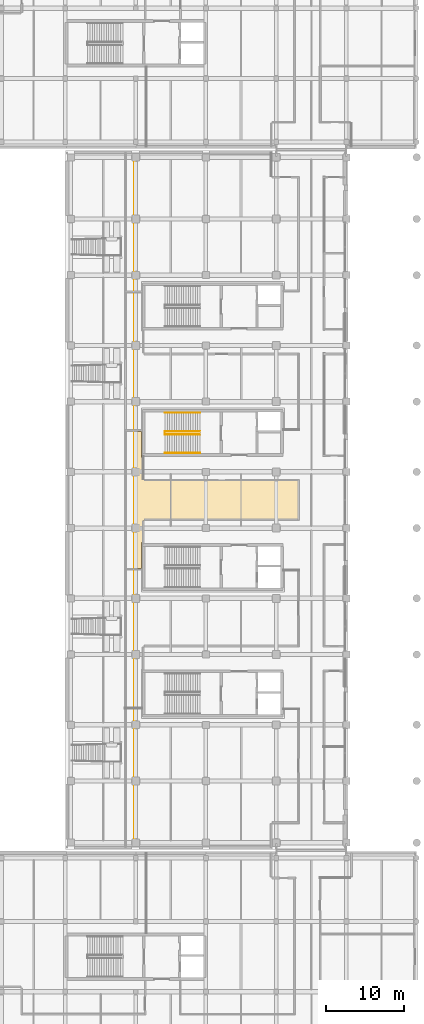
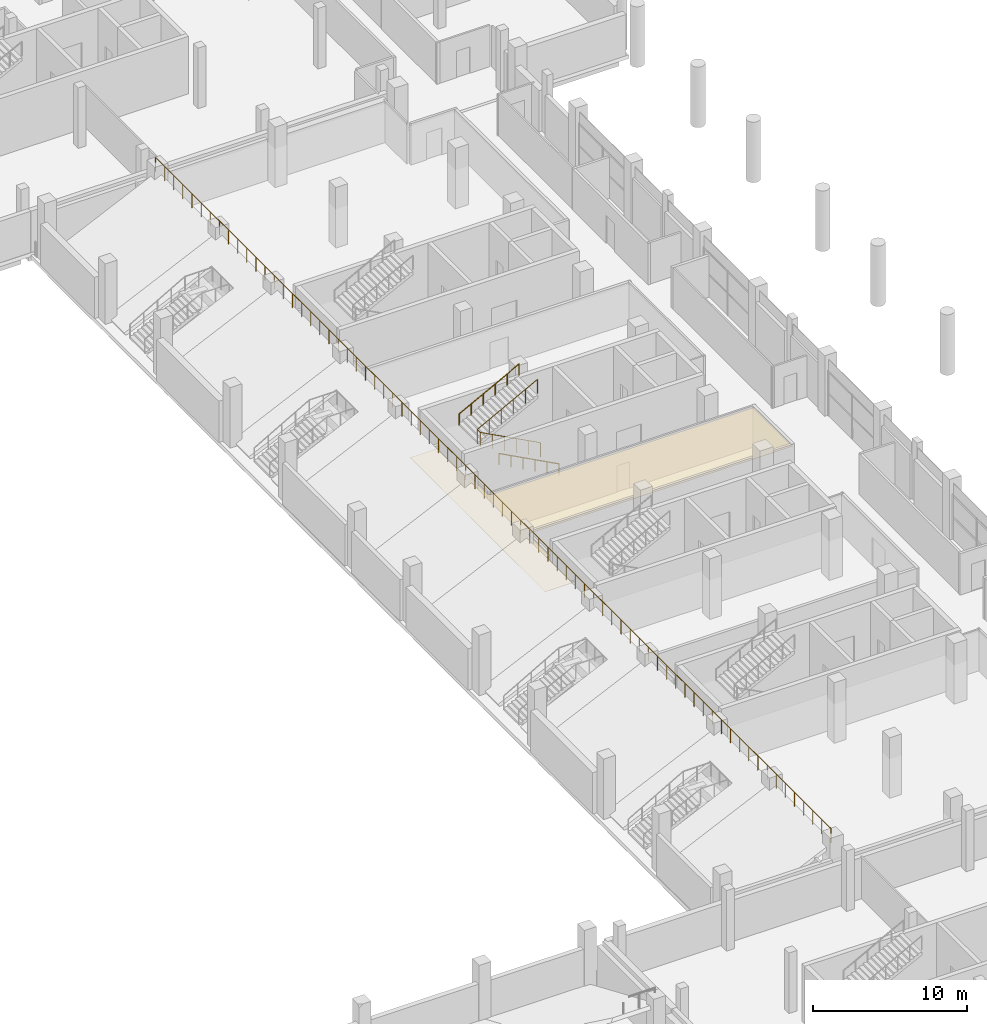
# One storey, part 91 of 100: 4 railings, 1 covering.
"""IFC4 building model written with IfcOpenShell, lengths in metres."""

from ifc_helpers import new_model, si_unit, direction, frame, origin, origin_2d, place, context, subcontext, project, spatial, polyline, circle, outline, extrude, material, layer, layer_set, type_object, element, save


model = new_model("IFC4")

# Units and contexts
model_context = context("Model", 3, precision=1e-05, world=origin(), true_north=direction((0.0, 1.0)))
body_context = subcontext(model_context, "Body", "Model", "MODEL_VIEW")
ifc_project = project(units=[si_unit("LENGTHUNIT", "METRE"), si_unit("AREAUNIT", "SQUARE_METRE"), si_unit("VOLUMEUNIT", "CUBIC_METRE"), si_unit("PLANEANGLEUNIT", "RADIAN"), si_unit("MASSUNIT", "GRAM", prefix="KILO"), si_unit("THERMODYNAMICTEMPERATUREUNIT", "KELVIN"), si_unit("POWERUNIT", "WATT")], contexts=[model_context])

# Site, building, storey
site_placement = place(None, origin())
site = spatial("IfcSite", under=ifc_project, at=site_placement, CompositionType="ELEMENT")
building_placement = place(site_placement, origin())
building = spatial("IfcBuilding", under=site, at=building_placement, Name="Sindhuravela Promenade Stadium", CompositionType="ELEMENT")
storey_placement = place(building_placement, frame((0.0, 0.0, 4.800048828125)))
storey = spatial("IfcBuildingStorey", under=building, at=storey_placement, Name="L01", CompositionType="ELEMENT", Elevation=4.800048828125)

# Covering
ifc_material_1 = material(Name="Acoustic mineral-fibre ceiling tile", Category="gypsum")
ifc_layer = layer(ifc_material_1, 0.02490234375)
ifc_layer_set = layer_set([ifc_layer], Name="Acoustic mineral-fibre ceiling tile")
covering_type = type_object("IfcCoveringType", Name="CV-CEIL-1", PredefinedType="CEILING", material=ifc_layer_set)
covering_placement = place(storey_placement, frame((0.0, 0.0, 3.050048828125)))
element("IfcCovering", 1, at=covering_placement, inside=storey, type_object=covering_type, Name="Acoustic ceiling Museum Conservation Workshop", PredefinedType="CEILING", context=body_context, shape_type="SweptSolid", body=[
    extrude(outline(polyline([(178.679931640625, 89.76611328125), (178.68017578125, 89.76806640625), (178.680419921875, 89.77001953125), (178.680908203125, 89.771728515625), (178.681396484375, 89.773681640625), (178.682373046875, 89.775390625), (178.683349609375, 89.777099609375), (178.6845703125, 89.77880859375), (178.685791015625, 89.780029296875), (178.687255859375, 89.781494140625), (178.68896484375, 89.78271484375), (178.690673828125, 89.78369140625), (178.6923828125, 89.784423828125), (178.694091796875, 89.78515625), (178.696044921875, 89.78564453125), (178.697998046875, 89.785888671875), (178.699951171875, 89.785888671875), (180.699951171875, 89.785888671875), (180.701904296875, 89.785888671875), (180.703857421875, 89.78564453125), (180.705810546875, 89.78515625), (180.707763671875, 89.784423828125), (180.70947265625, 89.78369140625), (180.711181640625, 89.78271484375), (180.712646484375, 89.781494140625), (180.714111328125, 89.780029296875), (180.715576171875, 89.77880859375), (180.716552734375, 89.777099609375), (180.717529296875, 89.775390625), (180.718505859375, 89.773681640625), (180.718994140625, 89.771728515625), (180.719482421875, 89.77001953125), (180.719970703125, 89.76806640625), (180.719970703125, 89.76611328125), (180.719970703125, 86.419921875), (180.9599609375, 86.419921875), (180.9619140625, 86.419921875), (180.9638671875, 86.419677734375), (180.9658203125, 86.419189453125), (180.9677734375, 86.41845703125), (180.969482421875, 86.41748046875), (180.97119140625, 86.41650390625), (180.97265625, 86.41552734375), (180.97412109375, 86.4140625), (180.9755859375, 86.41259765625), (180.9765625, 86.4111328125), (180.9775390625, 86.409423828125), (180.978515625, 86.40771484375), (180.97900390625, 86.40576171875), (180.9794921875, 86.40380859375), (180.97998046875, 86.402099609375), (180.97998046875, 86.39990234375), (180.97998046875, 83.75048828125), (180.981201171875, 83.728515625), (180.984375, 83.70703125), (180.989501953125, 83.68603515625), (180.996826171875, 83.665771484375), (181.006103515625, 83.646240234375), (181.01708984375, 83.627685546875), (181.030029296875, 83.6103515625), (181.04443359375, 83.594482421875), (181.060302734375, 83.580078125), (181.077880859375, 83.567138671875), (181.09619140625, 83.555908203125), (181.11572265625, 83.546875), (181.135986328125, 83.53955078125), (181.156982421875, 83.5341796875), (181.178466796875, 83.531005859375), (181.200439453125, 83.530029296875), (200.860107421875, 83.530029296875), (200.862060546875, 83.52978515625), (200.864013671875, 83.529541015625), (200.86572265625, 83.529052734375), (200.86767578125, 83.528564453125), (200.869384765625, 83.527587890625), (200.87109375, 83.526611328125), (200.872802734375, 83.525390625), (200.8740234375, 83.524169921875), (200.87548828125, 83.522705078125), (200.876708984375, 83.52099609375), (200.877685546875, 83.519287109375), (200.87841796875, 83.517578125), (200.879150390625, 83.515869140625), (200.879638671875, 83.513916015625), (200.8798828125, 83.511962890625), (200.8798828125, 83.510009765625), (200.8798828125, 78.489990234375), (200.8798828125, 78.488037109375), (200.879638671875, 78.486083984375), (200.879150390625, 78.484130859375), (200.87841796875, 78.482421875), (200.877685546875, 78.480712890625), (200.876708984375, 78.47900390625), (200.87548828125, 78.477294921875), (200.8740234375, 78.475830078125), (200.872802734375, 78.474609375), (200.87109375, 78.473388671875), (200.869384765625, 78.472412109375), (200.86767578125, 78.471435546875), (200.86572265625, 78.470947265625), (200.864013671875, 78.470458984375), (200.862060546875, 78.47021484375), (200.860107421875, 78.469970703125), (181.200439453125, 78.469970703125), (181.178466796875, 78.468994140625), (181.156982421875, 78.4658203125), (181.135986328125, 78.46044921875), (181.11572265625, 78.453125), (181.09619140625, 78.444091796875), (181.077880859375, 78.432861328125), (181.060302734375, 78.419921875), (181.04443359375, 78.405517578125), (181.030029296875, 78.3896484375), (181.01708984375, 78.372314453125), (181.006103515625, 78.353759765625), (180.996826171875, 78.334228515625), (180.989501953125, 78.31396484375), (180.984375, 78.29296875), (180.981201171875, 78.271484375), (180.97998046875, 78.24951171875), (180.97998046875, 75.60009765625), (180.97998046875, 75.597900390625), (180.9794921875, 75.59619140625), (180.97900390625, 75.59423828125), (180.978515625, 75.59228515625), (180.9775390625, 75.590576171875), (180.9765625, 75.5888671875), (180.9755859375, 75.58740234375), (180.97412109375, 75.5859375), (180.97265625, 75.58447265625), (180.97119140625, 75.58349609375), (180.969482421875, 75.58251953125), (180.9677734375, 75.58154296875), (180.9658203125, 75.580810546875), (180.9638671875, 75.580322265625), (180.9619140625, 75.580078125), (180.9599609375, 75.580078125), (180.719970703125, 75.580078125), (180.719970703125, 72.23388671875), (180.719970703125, 72.23193359375), (180.719482421875, 72.22998046875), (180.718994140625, 72.228271484375), (180.718505859375, 72.226318359375), (180.717529296875, 72.224609375), (180.716552734375, 72.222900390625), (180.715576171875, 72.22119140625), (180.714111328125, 72.219970703125), (180.712646484375, 72.218505859375), (180.711181640625, 72.21728515625), (180.70947265625, 72.21630859375), (180.707763671875, 72.215576171875), (180.705810546875, 72.21484375), (180.703857421875, 72.21435546875), (180.701904296875, 72.214111328125), (180.699951171875, 72.214111328125), (178.699951171875, 72.214111328125), (178.697998046875, 72.214111328125), (178.696044921875, 72.21435546875), (178.694091796875, 72.21484375), (178.6923828125, 72.215576171875), (178.690673828125, 72.21630859375), (178.68896484375, 72.21728515625), (178.687255859375, 72.218505859375), (178.685791015625, 72.219970703125), (178.6845703125, 72.22119140625), (178.683349609375, 72.222900390625), (178.682373046875, 72.224609375), (178.681396484375, 72.226318359375), (178.680908203125, 72.228271484375), (178.680419921875, 72.22998046875), (178.68017578125, 72.23193359375), (178.679931640625, 72.23388671875), (178.679931640625, 89.76611328125)])), origin(), (0.0, 0.0, 1.0), 0.02490234375),
])

# Railings
ifc_material_2 = material(Name="Architectural wrought steel E350", Category="steel")
railing_type_1 = type_object("IfcRailingType", Name="RL-GRD-1150", PredefinedType="GUARDRAIL", material=ifc_material_2)
railing_1_placement = place(storey_placement, frame((179.85009765625, 37.10009765625, 4.050048828125)))
element("IfcRailing", 2, at=railing_1_placement, inside=storey, type_object=railing_type_1, Name="Stand bowl crowd barrier GR01-94", PredefinedType="GUARDRAIL", context=body_context, shape_type="SweptSolid", body=[
    extrude(circle(Radius=0.02392578125, at=origin_2d()), frame((0.0, 0.0, 1.1259765625), z_axis=(0.0, 1.0, 0.0), x_axis=(-1.0, 0.0, 0.0)), (0.0, 0.0, 1.0), 87.7998046875),
    extrude(circle(Radius=0.02099609375, at=origin_2d()), origin(), (0.0, 0.0, 1.0), 1.101806640625),
    extrude(circle(Radius=0.02099609375, at=origin_2d()), frame((0.0, 1.1865234375, 0.0)), (0.0, 0.0, 1.0), 1.101806640625),
    extrude(circle(Radius=0.02099609375, at=origin_2d()), frame((0.0, 2.373046875, 0.0)), (0.0, 0.0, 1.0), 1.101806640625),
    extrude(circle(Radius=0.02099609375, at=origin_2d()), frame((0.0, 3.5595703125, 0.0)), (0.0, 0.0, 1.0), 1.101806640625),
    extrude(circle(Radius=0.02099609375, at=origin_2d()), frame((0.0, 4.745849609375, 0.0)), (0.0, 0.0, 1.0), 1.101806640625),
    extrude(circle(Radius=0.02099609375, at=origin_2d()), frame((0.0, 5.932373046875, 0.0)), (0.0, 0.0, 1.0), 1.101806640625),
    extrude(circle(Radius=0.02099609375, at=origin_2d()), frame((0.0, 7.118896484375, 0.0)), (0.0, 0.0, 1.0), 1.101806640625),
    extrude(circle(Radius=0.02099609375, at=origin_2d()), frame((0.0, 8.305419921875, 0.0)), (0.0, 0.0, 1.0), 1.101806640625),
    extrude(circle(Radius=0.02099609375, at=origin_2d()), frame((0.0, 9.491943359375, 0.0)), (0.0, 0.0, 1.0), 1.101806640625),
    extrude(circle(Radius=0.02099609375, at=origin_2d()), frame((0.0, 10.678466796875, 0.0)), (0.0, 0.0, 1.0), 1.101806640625),
    extrude(circle(Radius=0.02099609375, at=origin_2d()), frame((0.0, 11.86474609375, 0.0)), (0.0, 0.0, 1.0), 1.101806640625),
    extrude(circle(Radius=0.02099609375, at=origin_2d()), frame((0.0, 13.05126953125, 0.0)), (0.0, 0.0, 1.0), 1.101806640625),
    extrude(circle(Radius=0.02099609375, at=origin_2d()), frame((0.0, 14.23779296875, 0.0)), (0.0, 0.0, 1.0), 1.101806640625),
    extrude(circle(Radius=0.02099609375, at=origin_2d()), frame((0.0, 15.42431640625, 0.0)), (0.0, 0.0, 1.0), 1.101806640625),
    extrude(circle(Radius=0.02099609375, at=origin_2d()), frame((0.0, 16.61083984375, 0.0)), (0.0, 0.0, 1.0), 1.101806640625),
    extrude(circle(Radius=0.02099609375, at=origin_2d()), frame((0.0, 17.79736328125, 0.0)), (0.0, 0.0, 1.0), 1.101806640625),
    extrude(circle(Radius=0.02099609375, at=origin_2d()), frame((0.0, 18.983642578125, 0.0)), (0.0, 0.0, 1.0), 1.101806640625),
    extrude(circle(Radius=0.02099609375, at=origin_2d()), frame((0.0, 20.170166015625, 0.0)), (0.0, 0.0, 1.0), 1.101806640625),
    extrude(circle(Radius=0.02099609375, at=origin_2d()), frame((0.0, 21.356689453125, 0.0)), (0.0, 0.0, 1.0), 1.101806640625),
    extrude(circle(Radius=0.02099609375, at=origin_2d()), frame((0.0, 22.543212890625, 0.0)), (0.0, 0.0, 1.0), 1.101806640625),
    extrude(circle(Radius=0.02099609375, at=origin_2d()), frame((0.0, 23.729736328125, 0.0)), (0.0, 0.0, 1.0), 1.101806640625),
    extrude(circle(Radius=0.02099609375, at=origin_2d()), frame((0.0, 24.916259765625, 0.0)), (0.0, 0.0, 1.0), 1.101806640625),
    extrude(circle(Radius=0.02099609375, at=origin_2d()), frame((0.0, 26.1025390625, 0.0)), (0.0, 0.0, 1.0), 1.101806640625),
    extrude(circle(Radius=0.02099609375, at=origin_2d()), frame((0.0, 27.2890625, 0.0)), (0.0, 0.0, 1.0), 1.101806640625),
    extrude(circle(Radius=0.02099609375, at=origin_2d()), frame((0.0, 28.4755859375, 0.0)), (0.0, 0.0, 1.0), 1.101806640625),
    extrude(circle(Radius=0.02099609375, at=origin_2d()), frame((0.0, 29.662109375, 0.0)), (0.0, 0.0, 1.0), 1.101806640625),
    extrude(circle(Radius=0.02099609375, at=origin_2d()), frame((0.0, 30.8486328125, 0.0)), (0.0, 0.0, 1.0), 1.101806640625),
    extrude(circle(Radius=0.02099609375, at=origin_2d()), frame((0.0, 32.03515625, 0.0)), (0.0, 0.0, 1.0), 1.101806640625),
    extrude(circle(Radius=0.02099609375, at=origin_2d()), frame((0.0, 33.221435546875, 0.0)), (0.0, 0.0, 1.0), 1.101806640625),
    extrude(circle(Radius=0.02099609375, at=origin_2d()), frame((0.0, 34.407958984375, 0.0)), (0.0, 0.0, 1.0), 1.101806640625),
    extrude(circle(Radius=0.02099609375, at=origin_2d()), frame((0.0, 35.594482421875, 0.0)), (0.0, 0.0, 1.0), 1.101806640625),
    extrude(circle(Radius=0.02099609375, at=origin_2d()), frame((0.0, 36.781005859375, 0.0)), (0.0, 0.0, 1.0), 1.101806640625),
    extrude(circle(Radius=0.02099609375, at=origin_2d()), frame((0.0, 37.967529296875, 0.0)), (0.0, 0.0, 1.0), 1.101806640625),
    extrude(circle(Radius=0.02099609375, at=origin_2d()), frame((0.0, 39.154052734375, 0.0)), (0.0, 0.0, 1.0), 1.101806640625),
    extrude(circle(Radius=0.02099609375, at=origin_2d()), frame((0.0, 40.34033203125, 0.0)), (0.0, 0.0, 1.0), 1.101806640625),
    extrude(circle(Radius=0.02099609375, at=origin_2d()), frame((0.0, 41.52685546875, 0.0)), (0.0, 0.0, 1.0), 1.101806640625),
    extrude(circle(Radius=0.02099609375, at=origin_2d()), frame((0.0, 42.71337890625, 0.0)), (0.0, 0.0, 1.0), 1.101806640625),
    extrude(circle(Radius=0.02099609375, at=origin_2d()), frame((0.0, 43.89990234375, 0.0)), (0.0, 0.0, 1.0), 1.101806640625),
    extrude(circle(Radius=0.02099609375, at=origin_2d()), frame((0.0, 45.08642578125, 0.0)), (0.0, 0.0, 1.0), 1.101806640625),
    extrude(circle(Radius=0.02099609375, at=origin_2d()), frame((0.0, 46.27294921875, 0.0)), (0.0, 0.0, 1.0), 1.101806640625),
    extrude(circle(Radius=0.02099609375, at=origin_2d()), frame((0.0, 47.45947265625, 0.0)), (0.0, 0.0, 1.0), 1.101806640625),
    extrude(circle(Radius=0.02099609375, at=origin_2d()), frame((0.0, 48.645751953125, 0.0)), (0.0, 0.0, 1.0), 1.101806640625),
    extrude(circle(Radius=0.02099609375, at=origin_2d()), frame((0.0, 49.832275390625, 0.0)), (0.0, 0.0, 1.0), 1.101806640625),
    extrude(circle(Radius=0.02099609375, at=origin_2d()), frame((0.0, 51.018798828125, 0.0)), (0.0, 0.0, 1.0), 1.101806640625),
    extrude(circle(Radius=0.02099609375, at=origin_2d()), frame((0.0, 52.205322265625, 0.0)), (0.0, 0.0, 1.0), 1.101806640625),
    extrude(circle(Radius=0.02099609375, at=origin_2d()), frame((0.0, 53.391845703125, 0.0)), (0.0, 0.0, 1.0), 1.101806640625),
    extrude(circle(Radius=0.02099609375, at=origin_2d()), frame((0.0, 54.578369140625, 0.0)), (0.0, 0.0, 1.0), 1.101806640625),
    extrude(circle(Radius=0.02099609375, at=origin_2d()), frame((0.0, 55.7646484375, 0.0)), (0.0, 0.0, 1.0), 1.101806640625),
    extrude(circle(Radius=0.02099609375, at=origin_2d()), frame((0.0, 56.951171875, 0.0)), (0.0, 0.0, 1.0), 1.101806640625),
    extrude(circle(Radius=0.02099609375, at=origin_2d()), frame((0.0, 58.1376953125, 0.0)), (0.0, 0.0, 1.0), 1.101806640625),
    extrude(circle(Radius=0.02099609375, at=origin_2d()), frame((0.0, 59.32421875, 0.0)), (0.0, 0.0, 1.0), 1.101806640625),
    extrude(circle(Radius=0.02099609375, at=origin_2d()), frame((0.0, 60.5107421875, 0.0)), (0.0, 0.0, 1.0), 1.101806640625),
    extrude(circle(Radius=0.02099609375, at=origin_2d()), frame((0.0, 61.697265625, 0.0)), (0.0, 0.0, 1.0), 1.101806640625),
    extrude(circle(Radius=0.02099609375, at=origin_2d()), frame((0.0, 62.883544921875, 0.0)), (0.0, 0.0, 1.0), 1.101806640625),
    extrude(circle(Radius=0.02099609375, at=origin_2d()), frame((0.0, 64.070068359375, 0.0)), (0.0, 0.0, 1.0), 1.101806640625),
    extrude(circle(Radius=0.02099609375, at=origin_2d()), frame((0.0, 65.256591796875, 0.0)), (0.0, 0.0, 1.0), 1.101806640625),
    extrude(circle(Radius=0.02099609375, at=origin_2d()), frame((0.0, 66.443115234375, 0.0)), (0.0, 0.0, 1.0), 1.101806640625),
    extrude(circle(Radius=0.02099609375, at=origin_2d()), frame((0.0, 67.629638671875, 0.0)), (0.0, 0.0, 1.0), 1.101806640625),
    extrude(circle(Radius=0.02099609375, at=origin_2d()), frame((0.0, 68.816162109375, 0.0)), (0.0, 0.0, 1.0), 1.101806640625),
    extrude(circle(Radius=0.02099609375, at=origin_2d()), frame((0.0, 70.00244140625, 0.0)), (0.0, 0.0, 1.0), 1.101806640625),
    extrude(circle(Radius=0.02099609375, at=origin_2d()), frame((0.0, 71.18896484375, 0.0)), (0.0, 0.0, 1.0), 1.101806640625),
    extrude(circle(Radius=0.02099609375, at=origin_2d()), frame((0.0, 72.37548828125, 0.0)), (0.0, 0.0, 1.0), 1.101806640625),
    extrude(circle(Radius=0.02099609375, at=origin_2d()), frame((0.0, 73.56201171875, 0.0)), (0.0, 0.0, 1.0), 1.101806640625),
    extrude(circle(Radius=0.02099609375, at=origin_2d()), frame((0.0, 74.74853515625, 0.0)), (0.0, 0.0, 1.0), 1.101806640625),
    extrude(circle(Radius=0.02099609375, at=origin_2d()), frame((0.0, 75.93505859375, 0.0)), (0.0, 0.0, 1.0), 1.101806640625),
    extrude(circle(Radius=0.02099609375, at=origin_2d()), frame((0.0, 77.121337890625, 0.0)), (0.0, 0.0, 1.0), 1.101806640625),
    extrude(circle(Radius=0.02099609375, at=origin_2d()), frame((0.0, 78.307861328125, 0.0)), (0.0, 0.0, 1.0), 1.101806640625),
    extrude(circle(Radius=0.02099609375, at=origin_2d()), frame((0.0, 79.494384765625, 0.0)), (0.0, 0.0, 1.0), 1.101806640625),
    extrude(circle(Radius=0.02099609375, at=origin_2d()), frame((0.0, 80.680908203125, 0.0)), (0.0, 0.0, 1.0), 1.101806640625),
    extrude(circle(Radius=0.02099609375, at=origin_2d()), frame((0.0, 81.867431640625, 0.0)), (0.0, 0.0, 1.0), 1.101806640625),
    extrude(circle(Radius=0.02099609375, at=origin_2d()), frame((0.0, 83.053955078125, 0.0)), (0.0, 0.0, 1.0), 1.101806640625),
    extrude(circle(Radius=0.02099609375, at=origin_2d()), frame((0.0, 84.240234375, 0.0)), (0.0, 0.0, 1.0), 1.101806640625),
    extrude(circle(Radius=0.02099609375, at=origin_2d()), frame((0.0, 85.4267578125, 0.0)), (0.0, 0.0, 1.0), 1.101806640625),
    extrude(circle(Radius=0.02099609375, at=origin_2d()), frame((0.0, 86.61328125, 0.0)), (0.0, 0.0, 1.0), 1.101806640625),
    extrude(circle(Radius=0.02099609375, at=origin_2d()), frame((0.0, 87.7998046875, 0.0)), (0.0, 0.0, 1.0), 1.101806640625),
])
railing_2_placement = place(storey_placement, frame((188.25, 89.409912109375, 0.0)))
element("IfcRailing", 3, at=railing_2_placement, inside=storey, type_object=railing_type_1, Name="Stair ST07 inner well guard (L01)", PredefinedType="GUARDRAIL", context=body_context, shape_type="SweptSolid", body=[
    extrude(circle(Radius=0.02392578125, at=origin_2d()), frame((0.0, 0.0, 1.1259765625), z_axis=(-0.8836546633431795, 0.0, 0.46813933390802775), x_axis=(0.0, -1.0, 0.0)), (0.0, 0.0, 1.0), 5.12646484375),
    extrude(circle(Radius=0.02392578125, at=origin_2d()), frame((-4.530029296875, 0.0, 3.52587890625), z_axis=(0.0, 1.0, 0.0), x_axis=(-1.0, 0.0, 0.0)), (0.0, 0.0, 1.0), 0.380126953125),
    extrude(circle(Radius=0.02392578125, at=origin_2d()), frame((-4.530029296875, 0.380126953125, 3.52587890625), z_axis=(0.8836349624059475, 0.0, 0.46817651928929505), x_axis=(0.0, 1.0, 0.0)), (0.0, 0.0, 1.0), 5.12646484375),
    extrude(circle(Radius=0.02099609375, at=origin_2d()), origin(), (0.0, 0.0, 1.0), 1.101806640625),
    extrude(circle(Radius=0.02099609375, at=origin_2d()), frame((-0.906005859375, 0.0, 0.47998046875)), (0.0, 0.0, 1.0), 1.101806640625),
    extrude(circle(Radius=0.02099609375, at=origin_2d()), frame((-1.81201171875, 0.0, 0.9599609375)), (0.0, 0.0, 1.0), 1.101806640625),
    extrude(circle(Radius=0.02099609375, at=origin_2d()), frame((-2.718017578125, 0.0, 1.43994140625)), (0.0, 0.0, 1.0), 1.101806640625),
    extrude(circle(Radius=0.02099609375, at=origin_2d()), frame((-3.6240234375, 0.0, 1.919921875)), (0.0, 0.0, 1.0), 1.101806640625),
    extrude(circle(Radius=0.02099609375, at=origin_2d()), frame((-4.530029296875, 0.0, 2.39990234375)), (0.0, 0.0, 1.0), 1.101806640625),
    extrude(circle(Radius=0.02099609375, at=origin_2d()), frame((-4.530029296875, 0.380126953125, 2.39990234375)), (0.0, 0.0, 1.0), 1.101806640625),
    extrude(circle(Radius=0.02099609375, at=origin_2d()), frame((-3.6240234375, 0.380126953125, 2.8798828125)), (0.0, 0.0, 1.0), 1.101806640625),
    extrude(circle(Radius=0.02099609375, at=origin_2d()), frame((-2.718017578125, 0.380126953125, 3.35986328125)), (0.0, 0.0, 1.0), 1.101806640625),
    extrude(circle(Radius=0.02099609375, at=origin_2d()), frame((-1.81201171875, 0.380126953125, 3.840087890625)), (0.0, 0.0, 1.0), 1.101806640625),
    extrude(circle(Radius=0.02099609375, at=origin_2d()), frame((-0.906005859375, 0.380126953125, 4.320068359375)), (0.0, 0.0, 1.0), 1.101806640625),
    extrude(circle(Radius=0.02099609375, at=origin_2d()), frame((0.0, 0.380126953125, 4.800048828125)), (0.0, 0.0, 1.0), 1.101806640625),
])
railing_type_2 = type_object("IfcRailingType", Name="RL-HND-920", PredefinedType="HANDRAIL", material=ifc_material_2)
railing_3_placement = place(storey_placement, frame((188.25, 87.02001953125, 0.0)))
element("IfcRailing", 4, at=railing_3_placement, inside=storey, type_object=railing_type_2, Name="Stair ST07 lower wall handrail (L01)", PredefinedType="HANDRAIL", context=body_context, shape_type="SweptSolid", body=[
    extrude(circle(Radius=0.02392578125, at=origin_2d()), frame((0.0, 0.0, 0.89599609375), z_axis=(-0.8823608919668723, 0.0, 0.4705733272588083), x_axis=(0.0, -1.0, 0.0)), (0.0, 0.0, 1.0), 5.099853515625),
    extrude(circle(Radius=0.02099609375, at=origin_2d()), origin(), (0.0, 0.0, 1.0), 0.871826171875),
    extrude(circle(Radius=0.02099609375, at=origin_2d()), frame((-0.89990234375, 0.0, 0.47998046875)), (0.0, 0.0, 1.0), 0.871826171875),
    extrude(circle(Radius=0.02099609375, at=origin_2d()), frame((-1.800048828125, 0.0, 0.9599609375)), (0.0, 0.0, 1.0), 0.871826171875),
    extrude(circle(Radius=0.02099609375, at=origin_2d()), frame((-2.699951171875, 0.0, 1.43994140625)), (0.0, 0.0, 1.0), 0.871826171875),
    extrude(circle(Radius=0.02099609375, at=origin_2d()), frame((-3.60009765625, 0.0, 1.919921875)), (0.0, 0.0, 1.0), 0.871826171875),
    extrude(circle(Radius=0.02099609375, at=origin_2d()), frame((-4.5, 0.0, 2.39990234375)), (0.0, 0.0, 1.0), 0.871826171875),
])
railing_4_placement = place(storey_placement, frame((183.75, 92.179931640625, 2.39990234375)))
element("IfcRailing", 5, at=railing_4_placement, inside=storey, type_object=railing_type_2, Name="Stair ST07 upper wall handrail (L01)", PredefinedType="HANDRAIL", context=body_context, shape_type="SweptSolid", body=[
    extrude(circle(Radius=0.02392578125, at=origin_2d()), frame((0.0, 0.0, 0.89599609375), z_axis=(0.8823410147872734, 0.0, 0.47061059659145427), x_axis=(0.0, 1.0, 0.0)), (0.0, 0.0, 1.0), 5.10009765625),
    extrude(circle(Radius=0.02099609375, at=origin_2d()), origin(), (0.0, 0.0, 1.0), 0.871826171875),
    extrude(circle(Radius=0.02099609375, at=origin_2d()), frame((0.89990234375, 0.0, 0.47998046875)), (0.0, 0.0, 1.0), 0.871826171875),
    extrude(circle(Radius=0.02099609375, at=origin_2d()), frame((1.800048828125, 0.0, 0.9599609375)), (0.0, 0.0, 1.0), 0.871826171875),
    extrude(circle(Radius=0.02099609375, at=origin_2d()), frame((2.699951171875, 0.0, 1.440185546875)), (0.0, 0.0, 1.0), 0.871826171875),
    extrude(circle(Radius=0.02099609375, at=origin_2d()), frame((3.60009765625, 0.0, 1.920166015625)), (0.0, 0.0, 1.0), 0.871826171875),
    extrude(circle(Radius=0.02099609375, at=origin_2d()), frame((4.5, 0.0, 2.400146484375)), (0.0, 0.0, 1.0), 0.871826171875),
])

save(model, "model.ifc")
